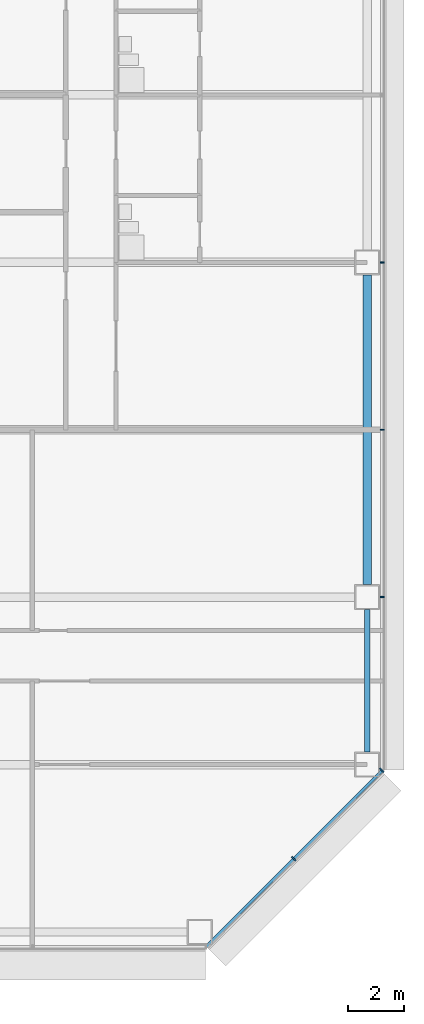
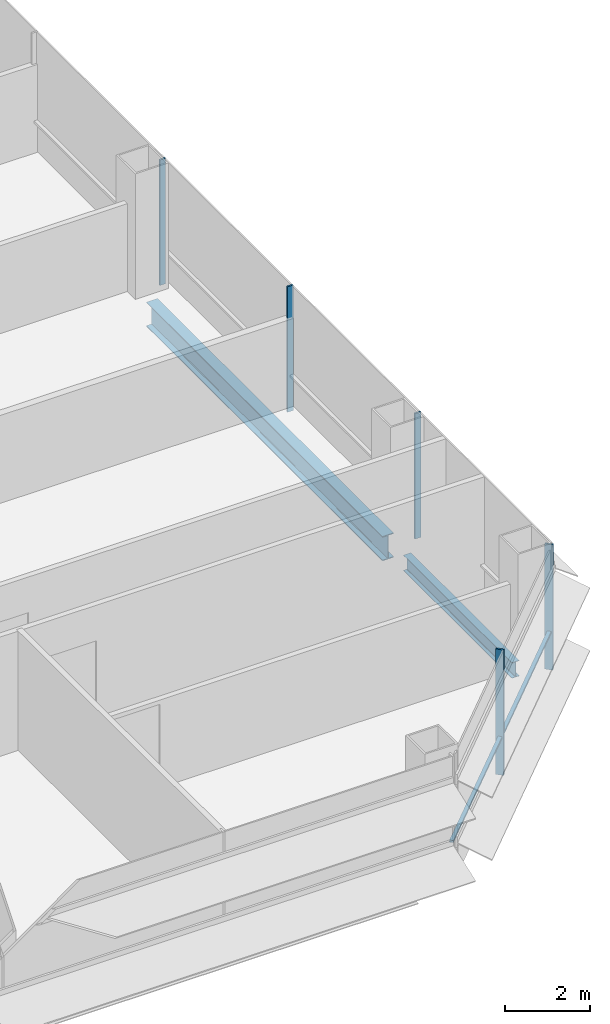
# One storey, part 16 of 26: 6 members, 2 beams, 2 elements without a shape of their own.
"""IFC4 building model written with IfcOpenShell, lengths in metres."""

from ifc_helpers import new_model, si_unit, direction, frame, origin, origin_2d, place, context, subcontext, project, spatial, rectangle, i_section, extrude, material, material_profile, profile_set, type_object, element, aggregate, save


model = new_model("IFC4")

# Units and contexts
model_context = context("Model", 3, precision=1e-05, world=origin(), true_north=direction((0.0, 1.0)))
body_context = subcontext(model_context, "Body", "Model", "MODEL_VIEW")
ifc_project = project(units=[si_unit("LENGTHUNIT", "METRE"), si_unit("AREAUNIT", "SQUARE_METRE"), si_unit("VOLUMEUNIT", "CUBIC_METRE"), si_unit("PLANEANGLEUNIT", "RADIAN"), si_unit("MASSUNIT", "GRAM", prefix="KILO")], contexts=[model_context])

# Site, building, storey
site_placement = place(None, origin())
site = spatial("IfcSite", under=ifc_project, at=site_placement, CompositionType="ELEMENT")
building_placement = place(site_placement, origin())
building = spatial("IfcBuilding", under=site, at=building_placement, Name="Sorahane Residences", CompositionType="ELEMENT")
storey_placement = place(building_placement, frame((0.0, 0.0, 71.39990234375)))
storey = spatial("IfcBuildingStorey", under=building, at=storey_placement, Name="L14", CompositionType="ELEMENT", Elevation=71.39990234375)

# Curtain wall, members
ifc_material_1 = material(Name="Dark low-e glass and black anodised aluminium", Category="aluminium")
curtain_wall_type_1 = type_object("IfcCurtainWallType", Name="Curtain wall CW-1 Typical unitised wall", PredefinedType="NOTDEFINED", material=ifc_material_1)
curtain_wall_1_placement = place(storey_placement, origin())
curtain_wall_1 = element("IfcCurtainWall", 1, at=curtain_wall_1_placement, inside=storey, type_object=curtain_wall_type_1, Name="CW-1 curtain wall L14 E1", PredefinedType="NOTDEFINED")
ifc_material_2 = material(Name="Black anodised aluminium", Category="aluminium")
ifc_material_profile_1 = material_profile(ifc_material_2, rectangle(XDim=0.159912109375, YDim=0.050048828125, at=origin_2d()), Name="Curtain wall mullion CW-1 black anodised aluminium 50x160")
ifc_profile_set_1 = profile_set([ifc_material_profile_1], Name="Black anodised aluminium")
member_type_1 = type_object("IfcMemberType", Name="Curtain wall mullion CW-1 black anodised aluminium 50x160", PredefinedType="MULLION", material=ifc_profile_set_1)
member_1_placement = place(storey_placement, frame((66.5400390625, 12.0, -0.179931640625), z_axis=(0.0, 0.0, 1.0), x_axis=(1.0, 0.0, 0.0)))
member_1 = element("IfcMember", 2, at=member_1_placement, type_object=member_type_1, Name="CW-1 mullion L14 E1.2", PredefinedType="MULLION", context=body_context, shape_type="SweptSolid", body=[
    extrude(rectangle(XDim=0.159912109375, YDim=0.050048828125, at=origin_2d()), origin(), (0.0, 0.0, 1.0), 3.60009765625),
])
member_2_placement = place(storey_placement, frame((66.5400390625, 18.0, -0.179931640625), z_axis=(0.0, 0.0, 1.0), x_axis=(1.0, 0.0, 0.0)))
member_2 = element("IfcMember", 3, at=member_2_placement, type_object=member_type_1, Name="CW-1 mullion L14 E1.3", PredefinedType="MULLION", context=body_context, shape_type="SweptSolid", body=[
    extrude(rectangle(XDim=0.159912109375, YDim=0.050048828125, at=origin_2d()), origin(), (0.0, 0.0, 1.0), 3.60009765625),
])
member_3_placement = place(storey_placement, frame((66.5400390625, 24.0, -0.179931640625), z_axis=(0.0, 0.0, 1.0), x_axis=(1.0, 0.0, 0.0)))
member_3 = element("IfcMember", 4, at=member_3_placement, type_object=member_type_1, Name="CW-1 mullion L14 E1.4", PredefinedType="MULLION", context=body_context, shape_type="SweptSolid", body=[
    extrude(rectangle(XDim=0.159912109375, YDim=0.050048828125, at=origin_2d()), origin(), (0.0, 0.0, 1.0), 3.60009765625),
])
aggregate(curtain_wall_1, [member_1, member_2, member_3])

ifc_material_3 = material(Name="Dark low-e glass and black anodised aluminium", Category="aluminium")
curtain_wall_type_2 = type_object("IfcCurtainWallType", Name="Curtain wall CW-2 Chamfer unitised wall", PredefinedType="NOTDEFINED", material=ifc_material_3)
curtain_wall_2_placement = place(storey_placement, origin())
curtain_wall_2 = element("IfcCurtainWall", 5, at=curtain_wall_2_placement, inside=storey, type_object=curtain_wall_type_2, Name="CW-2 curtain wall L14 SE1", PredefinedType="NOTDEFINED")
ifc_material_4 = material(Name="Black anodised aluminium", Category="aluminium")
ifc_material_profile_2 = material_profile(ifc_material_4, rectangle(XDim=0.199951171875, YDim=0.050048828125, at=origin_2d()), Name="Curtain wall mullion CW-2 black anodised aluminium 50x200")
ifc_profile_set_2 = profile_set([ifc_material_profile_2], Name="Black anodised aluminium")
member_type_2 = type_object("IfcMemberType", Name="Curtain wall mullion CW-2 black anodised aluminium 50x200", PredefinedType="MULLION", material=ifc_profile_set_2)
member_4_placement = place(storey_placement, frame((63.36767578125, 2.63232421875, -0.179931640625), z_axis=(0.0, 0.0, 1.0), x_axis=(0.707106781187, -0.707106781187, 0.0)))
member_4 = element("IfcMember", 6, at=member_4_placement, type_object=member_type_2, Name="CW-2 mullion L14 SE1.2", PredefinedType="MULLION", context=body_context, shape_type="SweptSolid", body=[
    extrude(rectangle(XDim=0.199951171875, YDim=0.050048828125, at=origin_2d()), origin(), (0.0, 0.0, 1.0), 3.60009765625),
])
member_5_placement = place(storey_placement, frame((66.525634765625, 5.790283203125, -0.179931640625), z_axis=(0.0, 0.0, 1.0), x_axis=(0.707106781187, -0.707106781187, 0.0)))
member_5 = element("IfcMember", 7, at=member_5_placement, type_object=member_type_2, Name="CW-2 mullion L14 SE1.3", PredefinedType="MULLION", context=body_context, shape_type="SweptSolid", body=[
    extrude(rectangle(XDim=0.199951171875, YDim=0.050048828125, at=origin_2d()), origin(), (0.0, 0.0, 1.0), 3.60009765625),
])
ifc_material_5 = material(Name="Black anodised aluminium", Category="aluminium")
ifc_material_profile_3 = material_profile(ifc_material_5, rectangle(XDim=0.10009765625, YDim=0.06005859375, at=origin_2d()), Name="Curtain wall transom CW-2 black anodised aluminium 60x100")
ifc_profile_set_3 = profile_set([ifc_material_profile_3], Name="Black anodised aluminium")
member_type_3 = type_object("IfcMemberType", Name="Curtain wall transom CW-2 black anodised aluminium 60x100", PredefinedType="USERDEFINED", material=ifc_profile_set_3)
member_6_placement = place(storey_placement, frame((60.234375, -0.51513671875, 0.900146484375), z_axis=(0.707106781187, 0.707106781187, 0.0), x_axis=(-0.707106781187, 0.707106781187, 0.0)))
member_6 = element("IfcMember", 8, at=member_6_placement, type_object=member_type_3, Name="CW-2 transom L14 SE1", ObjectType="TRANSOM", PredefinedType="USERDEFINED", context=body_context, shape_type="SweptSolid", body=[
    extrude(rectangle(XDim=0.10009765625, YDim=0.06005859375, at=origin_2d()), origin(), (0.0, 0.0, 1.0), 8.88232421875),
])
aggregate(curtain_wall_2, [member_4, member_5, member_6])

# Beams
ifc_material_6 = material(Name="Steel Q355B", Category="steel")
ifc_material_profile_4 = material_profile(ifc_material_6, i_section(OverallWidth=0.199951171875, OverallDepth=0.449951171875, WebThickness=0.009033203125, FlangeThickness=0.013916015625, FilletRadius=0.02001953125, at=origin_2d()), Name="HN 450x200x9x14")
ifc_profile_set_4 = profile_set([ifc_material_profile_4], Name="Steel Q355B")
beam_type_1 = type_object("IfcBeamType", Name="Steel floor beam HN 450x200x9x14 Q355B", PredefinedType="BEAM", material=ifc_profile_set_4)
beam_1_placement = place(storey_placement, frame((66.0, 6.449951171875, -0.40478515625), z_axis=(0.0, 1.0, 0.0), x_axis=(-1.0, 0.0, 0.0)))
element("IfcBeam", 9, at=beam_1_placement, inside=storey, type_object=beam_type_1, Name="Beam L14 057", PredefinedType="BEAM", context=body_context, shape_type="SweptSolid", body=[
    extrude(i_section(OverallWidth=0.199951171875, OverallDepth=0.449951171875, WebThickness=0.009033203125, FlangeThickness=0.013916015625, FilletRadius=0.02001953125, at=origin_2d()), origin(), (0.0, 0.0, 1.0), 5.10009765625),
])
ifc_material_7 = material(Name="Steel Q355B", Category="steel")
ifc_material_profile_5 = material_profile(ifc_material_7, i_section(OverallWidth=0.300048828125, OverallDepth=0.699951171875, WebThickness=0.012939453125, FlangeThickness=0.02392578125, FilletRadius=0.028076171875, at=origin_2d()), Name="HN 700x300x13x24")
ifc_profile_set_5 = profile_set([ifc_material_profile_5], Name="Steel Q355B")
beam_type_2 = type_object("IfcBeamType", Name="Steel floor beam HN 700x300x13x24 Q355B", PredefinedType="BEAM", material=ifc_profile_set_5)
beam_2_placement = place(storey_placement, frame((66.0, 12.449951171875, -0.52978515625), z_axis=(0.0, 1.0, 0.0), x_axis=(-1.0, 0.0, 0.0)))
element("IfcBeam", 10, at=beam_2_placement, inside=storey, type_object=beam_type_2, Name="Beam L14 058", PredefinedType="BEAM", context=body_context, shape_type="SweptSolid", body=[
    extrude(i_section(OverallWidth=0.300048828125, OverallDepth=0.699951171875, WebThickness=0.012939453125, FlangeThickness=0.02392578125, FilletRadius=0.028076171875, at=origin_2d()), origin(), (0.0, 0.0, 1.0), 11.10009765625),
])

save(model, "model.ifc")
